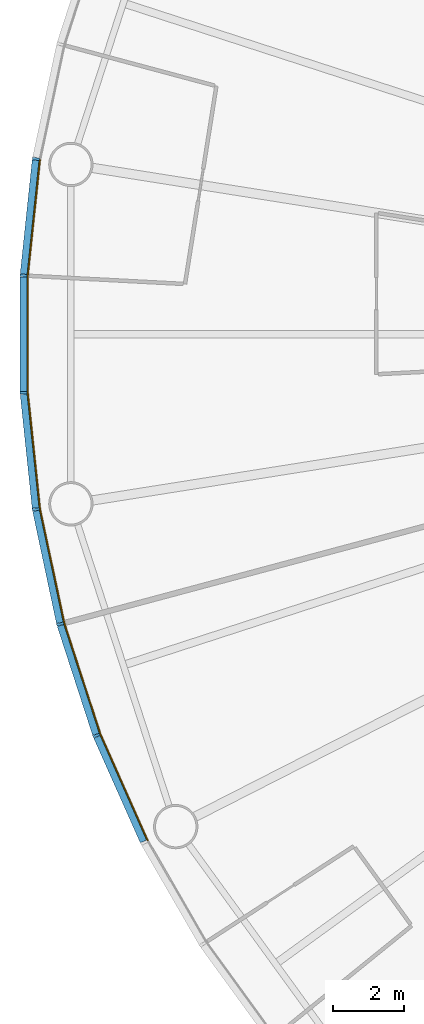
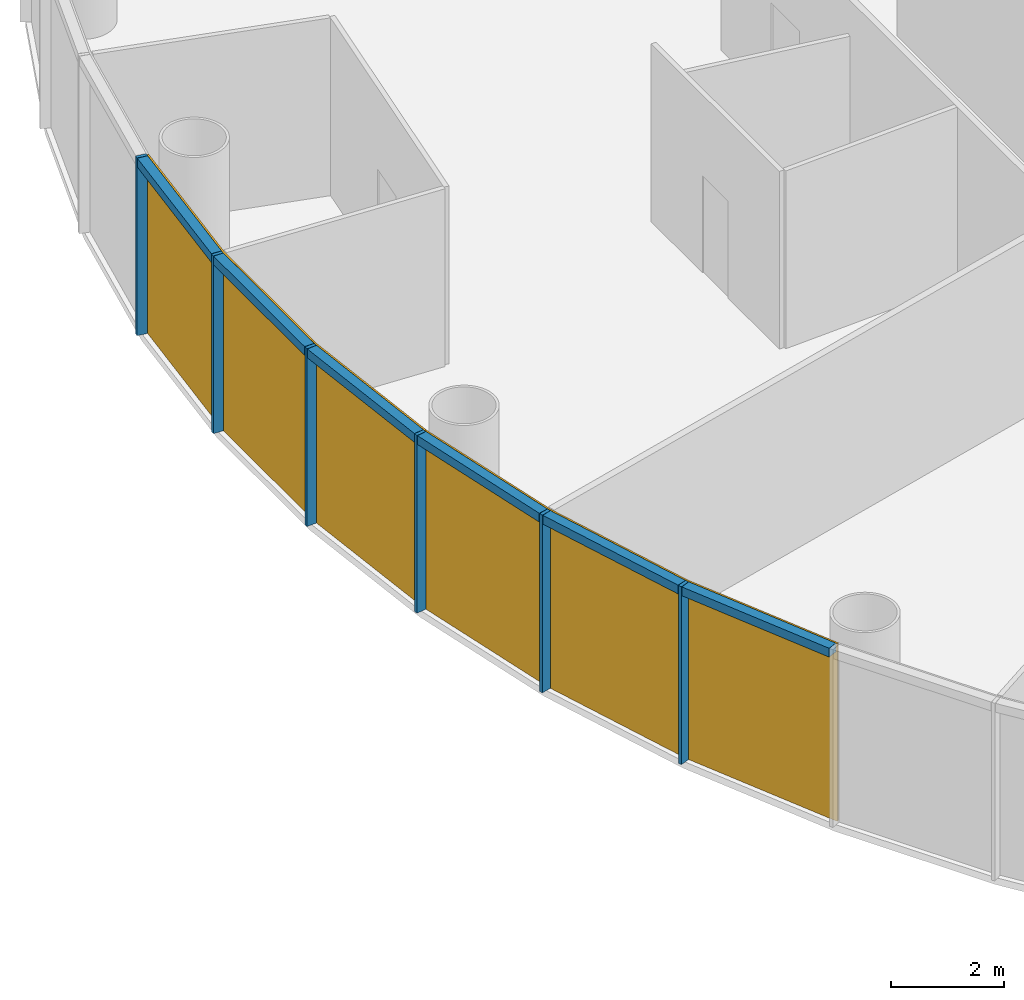
# One storey, part 8 of 13: 12 members, 2 curtain walls.
"""IFC4 building model written with IfcOpenShell, lengths in metres."""

from ifc_helpers import new_model, si_unit, direction, frame, origin, origin_2d, place, context, subcontext, project, spatial, polyline, rectangle, outline, extrude, material, layer, layer_set, material_profile, profile_set, type_object, element, aggregate, save


model = new_model("IFC4")

# Units and contexts
model_context = context("Model", 3, precision=1e-05, world=origin(), true_north=direction((0.0, 1.0)))
body_context = subcontext(model_context, "Body", "Model", "MODEL_VIEW")
ifc_project = project(units=[si_unit("LENGTHUNIT", "METRE"), si_unit("AREAUNIT", "SQUARE_METRE"), si_unit("VOLUMEUNIT", "CUBIC_METRE"), si_unit("PLANEANGLEUNIT", "RADIAN"), si_unit("MASSUNIT", "GRAM", prefix="KILO")], contexts=[model_context])

# Member
ifc_material_1 = material(Name="Anodised aluminium", Category="aluminium")
ifc_material_profile_1 = material_profile(ifc_material_1, rectangle(XDim=0.070068359375, YDim=0.199951171875, at=origin_2d()), Name="Mullion 70 x 200 mm anodised aluminium")
ifc_profile_set_1 = profile_set([ifc_material_profile_1], Name="Anodised aluminium")
member_type_1 = type_object("IfcMemberType", Name="Mullion 70 x 200 mm anodised aluminium", PredefinedType="MULLION", material=ifc_profile_set_1)
site_placement = place(None, origin())
building_placement = place(site_placement, origin())
storey_placement = place(building_placement, frame((0.0, 0.0, 88.0)))
member_1_placement = place(storey_placement, frame((58.7890625, 84.943359375, 0.0), z_axis=(0.0, 0.0, 1.0), x_axis=(-0.15643446504, -0.987688340595, 0.0)))
member_1 = element("IfcMember", 1, at=member_1_placement, type_object=member_type_1, Name="MULLION L19-27", PredefinedType="MULLION", context=body_context, shape_type="SweptSolid", body=[
    extrude(rectangle(XDim=0.070068359375, YDim=0.199951171875, at=origin_2d()), origin(), (0.0, 0.0, 1.0), 3.85009765625),
])

member_2_placement = place(storey_placement, frame((58.443359375, 81.65380859375, 0.0), z_axis=(0.0, 0.0, 1.0), x_axis=(-0.052335956243, -0.998629534755, 0.0)))
member_2 = element("IfcMember", 2, at=member_2_placement, type_object=member_type_1, Name="MULLION L19-28", PredefinedType="MULLION", context=body_context, shape_type="SweptSolid", body=[
    extrude(rectangle(XDim=0.070068359375, YDim=0.199951171875, at=origin_2d()), origin(), (0.0, 0.0, 1.0), 3.85009765625),
])

member_3_placement = place(storey_placement, frame((58.443359375, 78.34619140625, 0.0), z_axis=(0.0, 0.0, 1.0), x_axis=(0.052335956243, -0.998629534755, 0.0)))
member_3 = element("IfcMember", 3, at=member_3_placement, type_object=member_type_1, Name="MULLION L19-29", PredefinedType="MULLION", context=body_context, shape_type="SweptSolid", body=[
    extrude(rectangle(XDim=0.070068359375, YDim=0.199951171875, at=origin_2d()), origin(), (0.0, 0.0, 1.0), 3.85009765625),
])

member_4_placement = place(storey_placement, frame((58.7890625, 75.056640625, 0.0), z_axis=(0.0, 0.0, 1.0), x_axis=(0.15643446504, -0.987688340595, 0.0)))
member_4 = element("IfcMember", 4, at=member_4_placement, type_object=member_type_1, Name="MULLION L19-30", PredefinedType="MULLION", context=body_context, shape_type="SweptSolid", body=[
    extrude(rectangle(XDim=0.070068359375, YDim=0.199951171875, at=origin_2d()), origin(), (0.0, 0.0, 1.0), 3.85009765625),
])

member_5_placement = place(storey_placement, frame((59.476806640625, 71.8212890625, 0.0), z_axis=(0.0, 0.0, 1.0), x_axis=(0.258819045103, -0.965925826289, 0.0)))
member_5 = element("IfcMember", 5, at=member_5_placement, type_object=member_type_1, Name="MULLION L19-31", PredefinedType="MULLION", context=body_context, shape_type="SweptSolid", body=[
    extrude(rectangle(XDim=0.070068359375, YDim=0.199951171875, at=origin_2d()), origin(), (0.0, 0.0, 1.0), 3.85009765625),
])

member_6_placement = place(storey_placement, frame((60.498779296875, 68.675537109375, 0.0), z_axis=(0.0, 0.0, 1.0), x_axis=(0.358367949545, -0.933580426497, 0.0)))
member_6 = element("IfcMember", 6, at=member_6_placement, type_object=member_type_1, Name="MULLION L19-32", PredefinedType="MULLION", context=body_context, shape_type="SweptSolid", body=[
    extrude(rectangle(XDim=0.070068359375, YDim=0.199951171875, at=origin_2d()), origin(), (0.0, 0.0, 1.0), 3.85009765625),
])

ifc_material_2 = material(Name="Anodised aluminium", Category="aluminium")
ifc_material_profile_2 = material_profile(ifc_material_2, rectangle(XDim=0.199951171875, YDim=0.18994140625, at=origin_2d()), Name="Transom 190 x 200 mm anodised aluminium")
ifc_profile_set_2 = profile_set([ifc_material_profile_2], Name="Anodised aluminium")
member_type_2 = type_object("IfcMemberType", Name="Transom 190 x 200 mm anodised aluminium", PredefinedType="USERDEFINED", material=ifc_profile_set_2)
member_7_placement = place(storey_placement, frame((58.78466796875, 84.9033203125, 3.7548828125), z_axis=(-0.104550890115, -0.994519537956, 0.0), x_axis=(0.994519537956, -0.104550890115, 0.0)))
member_7 = element("IfcMember", 7, at=member_7_placement, type_object=member_type_2, Name="TRANSOM L19-27", ObjectType="TRANSOM", PredefinedType="USERDEFINED", context=body_context, shape_type="SweptSolid", body=[
    extrude(rectangle(XDim=0.199951171875, YDim=0.18994140625, at=origin_2d()), origin(), (0.0, 0.0, 1.0), 3.22705078125),
])

member_8_placement = place(storey_placement, frame((58.443115234375, 81.613525390625, 3.7548828125), z_axis=(0.0, -1.0, 0.0), x_axis=(1.0, 0.0, 0.0)))
member_8 = element("IfcMember", 8, at=member_8_placement, type_object=member_type_2, Name="TRANSOM L19-28", ObjectType="TRANSOM", PredefinedType="USERDEFINED", context=body_context, shape_type="SweptSolid", body=[
    extrude(rectangle(XDim=0.199951171875, YDim=0.18994140625, at=origin_2d()), origin(), (0.0, 0.0, 1.0), 3.22705078125),
])

member_9_placement = place(storey_placement, frame((58.447265625, 78.30615234375, 3.7548828125), z_axis=(0.104550890115, -0.994519537956, 0.0), x_axis=(0.994519537956, 0.104550890115, 0.0)))
member_9 = element("IfcMember", 9, at=member_9_placement, type_object=member_type_2, Name="TRANSOM L19-29", ObjectType="TRANSOM", PredefinedType="USERDEFINED", context=body_context, shape_type="SweptSolid", body=[
    extrude(rectangle(XDim=0.199951171875, YDim=0.18994140625, at=origin_2d()), origin(), (0.0, 0.0, 1.0), 3.22705078125),
])

member_10_placement = place(storey_placement, frame((58.79736328125, 75.017333984375, 3.7548828125), z_axis=(0.207885898771, -0.978153082647, 0.0), x_axis=(0.978153082647, 0.207885898771, 0.0)))
member_10 = element("IfcMember", 10, at=member_10_placement, type_object=member_type_2, Name="TRANSOM L19-30", ObjectType="TRANSOM", PredefinedType="USERDEFINED", context=body_context, shape_type="SweptSolid", body=[
    extrude(rectangle(XDim=0.199951171875, YDim=0.18994140625, at=origin_2d()), origin(), (0.0, 0.0, 1.0), 3.227294921875),
])

member_11_placement = place(storey_placement, frame((59.489013671875, 71.782958984375, 3.7548828125), z_axis=(0.309046726844, -0.951046855117, 0.0), x_axis=(0.951046855117, 0.309046726844, 0.0)))
member_11 = element("IfcMember", 11, at=member_11_placement, type_object=member_type_2, Name="TRANSOM L19-31", ObjectType="TRANSOM", PredefinedType="USERDEFINED", context=body_context, shape_type="SweptSolid", body=[
    extrude(rectangle(XDim=0.199951171875, YDim=0.18994140625, at=origin_2d()), origin(), (0.0, 0.0, 1.0), 3.22705078125),
])

member_12_placement = place(storey_placement, frame((60.51513671875, 68.638671875, 3.7548828125), z_axis=(0.406728032322, -0.913549291349, 0.0), x_axis=(0.913549291349, 0.406728032322, 0.0)))
member_12 = element("IfcMember", 12, at=member_12_placement, type_object=member_type_2, Name="TRANSOM L19-32", ObjectType="TRANSOM", PredefinedType="USERDEFINED", context=body_context, shape_type="SweptSolid", body=[
    extrude(rectangle(XDim=0.199951171875, YDim=0.18994140625, at=origin_2d()), origin(), (0.0, 0.0, 1.0), 3.22705078125),
])

# Site, building, storey
site = spatial("IfcSite", under=ifc_project, at=site_placement, CompositionType="ELEMENT")
building = spatial("IfcBuilding", under=site, at=building_placement, Name="Entoto Ring Tower", CompositionType="ELEMENT")
storey = spatial("IfcBuildingStorey", under=building, at=storey_placement, Name="L19", CompositionType="ELEMENT", Elevation=88.0)

# Curtain wall
ifc_material_3 = material(Name="Clear low-iron glass", Category="glass")
ifc_layer = layer(ifc_material_3, 0.035888671875)
ifc_layer_set = layer_set([ifc_layer], Name="Clear low-iron glass")
curtain_wall_type = type_object("IfcCurtainWallType", Name="Curtain wall system CW2 glazing 36 mm", PredefinedType="NOTDEFINED", material=ifc_layer_set)
curtain_wall_1_placement = place(storey_placement, origin())
curtain_wall_1 = element("IfcCurtainWall", 13, at=curtain_wall_1_placement, inside=storey, type_object=curtain_wall_type, Name="CW2 L19-10", PredefinedType="NOTDEFINED", context=body_context, shape_type="SweptSolid", body=[
    extrude(outline(polyline([(58.8876953125, 84.927734375), (58.543212890625, 81.648681640625), (58.543212890625, 78.351318359375), (58.8876953125, 75.072265625), (58.92333984375, 75.077880859375), (58.5791015625, 78.353271484375), (58.5791015625, 81.646728515625), (58.92333984375, 84.922119140625), (58.8876953125, 84.927734375)])), origin(), (0.0, 0.0, 1.0), 3.85009765625),
])

aggregate(curtain_wall_1, [member_1, member_2, member_3, member_7, member_8, member_9])

curtain_wall_2_placement = place(storey_placement, origin())
curtain_wall_2 = element("IfcCurtainWall", 14, at=curtain_wall_2_placement, inside=storey, type_object=curtain_wall_type, Name="CW2 L19-11", PredefinedType="NOTDEFINED", context=body_context, shape_type="SweptSolid", body=[
    extrude(outline(polyline([(58.8876953125, 75.072265625), (59.5732421875, 71.84716796875), (60.59228515625, 68.71142578125), (61.933349609375, 65.69921875), (61.96533203125, 65.715576171875), (60.6259765625, 68.724365234375), (59.608154296875, 71.8564453125), (58.92333984375, 75.077880859375), (58.8876953125, 75.072265625)])), origin(), (0.0, 0.0, 1.0), 3.85009765625),
])

aggregate(curtain_wall_2, [member_4, member_5, member_6, member_10, member_11, member_12])

save(model, "model.ifc")
